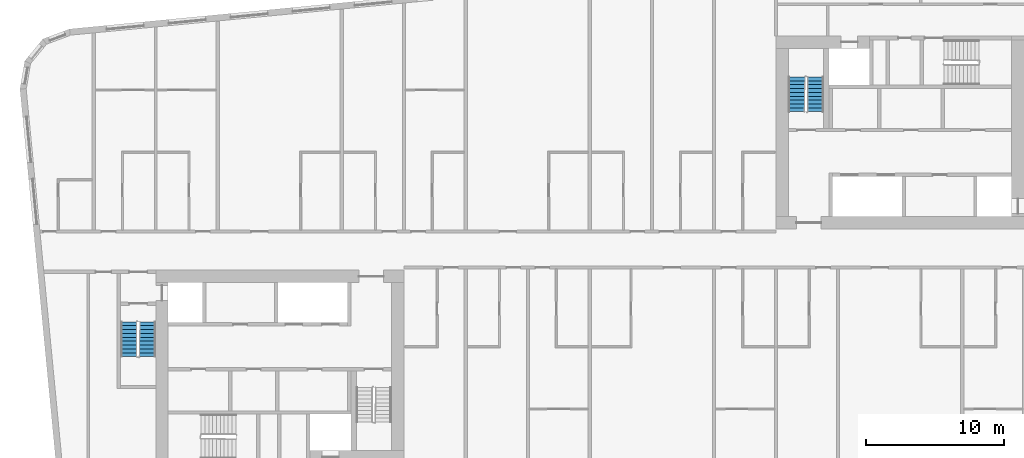
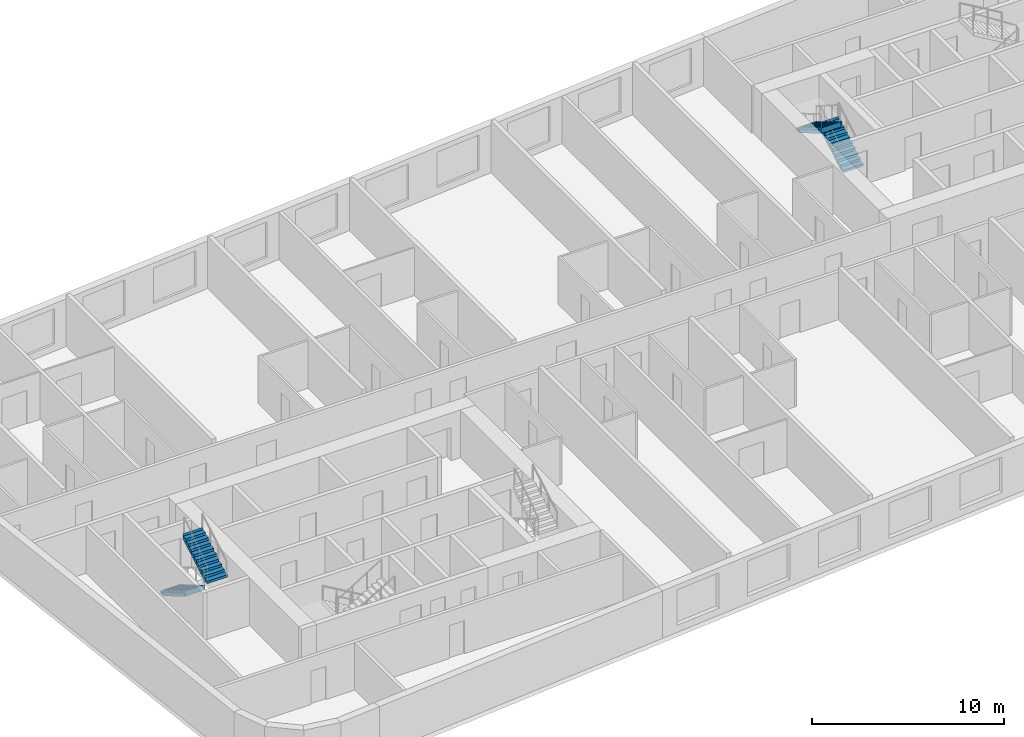
# One storey, part 10 of 12: 4 stair flights, 2 elements without a shape of their own.
"""IFC4 building model written with IfcOpenShell, lengths in metres."""

from ifc_helpers import new_model, si_unit, direction, frame, origin, place, context, subcontext, project, spatial, faceted_brep, material, type_object, element, aggregate, save


model = new_model("IFC4")

# Units and contexts
model_context = context("Model", 3, precision=1e-05, world=origin(), true_north=direction((0.0, 1.0)))
body_context = subcontext(model_context, "Body", "Model", "MODEL_VIEW")
ifc_project = project(units=[si_unit("LENGTHUNIT", "METRE"), si_unit("AREAUNIT", "SQUARE_METRE"), si_unit("VOLUMEUNIT", "CUBIC_METRE"), si_unit("PLANEANGLEUNIT", "RADIAN"), si_unit("MASSUNIT", "GRAM", prefix="KILO")], contexts=[model_context])

# Site, building, storey
site_placement = place(None, origin())
site = spatial("IfcSite", under=ifc_project, at=site_placement, CompositionType="ELEMENT")
building_placement = place(site_placement, origin())
building = spatial("IfcBuilding", under=site, at=building_placement, Name="Kajstack Hotel Tower", CompositionType="ELEMENT")
storey_placement = place(building_placement, frame((0.0, 0.0, 294.89990234375)))
storey = spatial("IfcBuildingStorey", under=building, at=storey_placement, Name="L74", CompositionType="ELEMENT", Elevation=294.89990234375)

# Stair, stair flights
ifc_material = material(Name="Concrete C40/50", Category="concrete")
stair_type = type_object("IfcStairType", Name="Exit stair 1200", PredefinedType="HALF_TURN_STAIR", material=ifc_material)
stair_1_placement = place(storey_placement, origin())
stair_1 = element("IfcStair", 1, at=stair_1_placement, inside=storey, type_object=stair_type, Name="L74 stair W1", PredefinedType="HALF_TURN_STAIR")
stair_flight_type = type_object("IfcStairFlightType", Name="Exit stair flight 1200", PredefinedType="STRAIGHT", material=ifc_material)
stair_flight_1_placement = place(storey_placement, frame((-33.449951171875, -5.25, 0.0), z_axis=(0.0, 0.0, 1.0), x_axis=(0.0, -1.0, 0.0)))
stair_flight_1 = element("IfcStairFlight", 2, at=stair_flight_1_placement, type_object=stair_flight_type, Name="W1 flight 1", NumberOfRisers=10, NumberOfTreads=9, PredefinedType="STRAIGHT", RiserHeight=0.165, TreadLength=0.28, context=body_context, shape_type="Brep", body=[
    faceted_brep([(0.295654296875, -0.60009765625, 0.0), (2.5205078125, -0.60009765625, 1.31103515625), (2.5205078125, -0.60009765625, 1.64990234375), (2.52001953125, -0.60009765625, 1.64990234375), (2.52001953125, -0.60009765625, 1.485107421875), (2.239990234375, -0.60009765625, 1.485107421875), (2.239990234375, -0.60009765625, 1.320068359375), (1.9599609375, -0.60009765625, 1.320068359375), (1.9599609375, -0.60009765625, 1.155029296875), (1.679931640625, -0.60009765625, 1.155029296875), (1.679931640625, -0.60009765625, 0.989990234375), (1.39990234375, -0.60009765625, 0.989990234375), (1.39990234375, -0.60009765625, 0.824951171875), (1.1201171875, -0.60009765625, 0.824951171875), (1.1201171875, -0.60009765625, 0.659912109375), (0.840087890625, -0.60009765625, 0.659912109375), (0.840087890625, -0.60009765625, 0.4951171875), (0.56005859375, -0.60009765625, 0.4951171875), (0.56005859375, -0.60009765625, 0.330078125), (0.280029296875, -0.60009765625, 0.330078125), (0.280029296875, -0.60009765625, 0.1650390625), (-0.00048828125, -0.60009765625, 0.1650390625), (-0.00048828125, -0.60009765625, 0.0), (-0.00048828125, 0.60009765625, 0.0), (-0.00048828125, 0.60009765625, 0.1650390625), (0.280029296875, 0.60009765625, 0.1650390625), (0.280029296875, 0.60009765625, 0.330078125), (0.56005859375, 0.60009765625, 0.330078125), (0.56005859375, 0.60009765625, 0.4951171875), (0.840087890625, 0.60009765625, 0.4951171875), (0.840087890625, 0.60009765625, 0.659912109375), (1.1201171875, 0.60009765625, 0.659912109375), (1.1201171875, 0.60009765625, 0.824951171875), (1.39990234375, 0.60009765625, 0.824951171875), (1.39990234375, 0.60009765625, 0.989990234375), (1.679931640625, 0.60009765625, 0.989990234375), (1.679931640625, 0.60009765625, 1.155029296875), (1.9599609375, 0.60009765625, 1.155029296875), (1.9599609375, 0.60009765625, 1.320068359375), (2.239990234375, 0.60009765625, 1.320068359375), (2.239990234375, 0.60009765625, 1.485107421875), (2.52001953125, 0.60009765625, 1.485107421875), (2.52001953125, 0.60009765625, 1.64990234375), (2.5205078125, 0.60009765625, 1.64990234375), (2.5205078125, 0.60009765625, 1.31103515625), (0.295654296875, 0.60009765625, 0.0), (-0.00048828125, -0.300048828125, 0.1650390625), (-0.00048828125, 0.0, 0.1650390625), (-0.00048828125, 0.300048828125, 0.1650390625), (-0.00048828125, 0.300048828125, 0.0), (-0.00048828125, 0.0, 0.0), (-0.00048828125, -0.300048828125, 0.0), (0.280029296875, -0.300048828125, 0.1650390625), (0.280029296875, 0.0, 0.1650390625), (0.280029296875, 0.300048828125, 0.1650390625), (0.280029296875, -0.300048828125, 0.330078125), (0.280029296875, 0.0, 0.330078125), (0.280029296875, 0.300048828125, 0.330078125), (0.56005859375, -0.300048828125, 0.330078125), (0.56005859375, 0.0, 0.330078125), (0.56005859375, 0.300048828125, 0.330078125), (0.56005859375, -0.300048828125, 0.4951171875), (0.56005859375, 0.0, 0.4951171875), (0.56005859375, 0.300048828125, 0.4951171875), (0.840087890625, -0.300048828125, 0.4951171875), (0.840087890625, 0.0, 0.4951171875), (0.840087890625, 0.300048828125, 0.4951171875), (0.840087890625, -0.300048828125, 0.659912109375), (0.840087890625, 0.0, 0.659912109375), (0.840087890625, 0.300048828125, 0.659912109375), (1.1201171875, -0.300048828125, 0.659912109375), (1.1201171875, 0.0, 0.659912109375), (1.1201171875, 0.300048828125, 0.659912109375), (1.1201171875, -0.300048828125, 0.824951171875), (1.1201171875, 0.0, 0.824951171875), (1.1201171875, 0.300048828125, 0.824951171875), (1.39990234375, -0.300048828125, 0.824951171875), (1.39990234375, 0.0, 0.824951171875), (1.39990234375, 0.300048828125, 0.824951171875), (1.39990234375, -0.300048828125, 0.989990234375), (1.39990234375, 0.0, 0.989990234375), (1.39990234375, 0.300048828125, 0.989990234375), (1.679931640625, -0.300048828125, 0.989990234375), (1.679931640625, 0.0, 0.989990234375), (1.679931640625, 0.300048828125, 0.989990234375), (1.679931640625, -0.300048828125, 1.155029296875), (1.679931640625, 0.0, 1.155029296875), (1.679931640625, 0.300048828125, 1.155029296875), (1.9599609375, -0.300048828125, 1.155029296875), (1.9599609375, 0.0, 1.155029296875), (1.9599609375, 0.300048828125, 1.155029296875), (1.9599609375, -0.300048828125, 1.320068359375), (1.9599609375, 0.0, 1.320068359375), (1.9599609375, 0.300048828125, 1.320068359375), (2.239990234375, -0.300048828125, 1.320068359375), (2.239990234375, 0.0, 1.320068359375), (2.239990234375, 0.300048828125, 1.320068359375), (2.239990234375, -0.300048828125, 1.485107421875), (2.239990234375, 0.0, 1.485107421875), (2.239990234375, 0.300048828125, 1.485107421875), (2.52001953125, -0.300048828125, 1.485107421875), (2.52001953125, 0.0, 1.485107421875), (2.52001953125, 0.300048828125, 1.485107421875), (2.52001953125, -0.300048828125, 1.64990234375), (2.52001953125, 0.0, 1.64990234375), (2.52001953125, 0.300048828125, 1.64990234375), (2.5205078125, -0.300048828125, 1.64990234375), (2.5205078125, 0.0, 1.64990234375), (2.5205078125, 0.300048828125, 1.64990234375), (2.5205078125, -0.300048828125, 1.31103515625), (2.5205078125, 0.0, 1.31103515625), (2.5205078125, 0.300048828125, 1.31103515625), (0.295654296875, -0.300048828125, 0.0), (0.295654296875, 0.0, 0.0), (0.295654296875, 0.300048828125, 0.0)], [[[0, 1, 2, 3, 4, 5, 6, 7, 8, 9, 10, 11, 12, 13, 14, 15, 16, 17, 18, 19, 20, 21, 22]], [[23, 24, 25, 26, 27, 28, 29, 30, 31, 32, 33, 34, 35, 36, 37, 38, 39, 40, 41, 42, 43, 44, 45]], [[21, 46, 47, 48, 24, 23, 49, 50, 51, 22]], [[20, 52, 53, 54, 25, 24, 48, 47, 46, 21]], [[19, 55, 56, 57, 26, 25, 54, 53, 52, 20]], [[18, 58, 59, 60, 27, 26, 57, 56, 55, 19]], [[17, 61, 62, 63, 28, 27, 60, 59, 58, 18]], [[16, 64, 65, 66, 29, 28, 63, 62, 61, 17]], [[15, 67, 68, 69, 30, 29, 66, 65, 64, 16]], [[14, 70, 71, 72, 31, 30, 69, 68, 67, 15]], [[13, 73, 74, 75, 32, 31, 72, 71, 70, 14]], [[12, 76, 77, 78, 33, 32, 75, 74, 73, 13]], [[11, 79, 80, 81, 34, 33, 78, 77, 76, 12]], [[10, 82, 83, 84, 35, 34, 81, 80, 79, 11]], [[9, 85, 86, 87, 36, 35, 84, 83, 82, 10]], [[8, 88, 89, 90, 37, 36, 87, 86, 85, 9]], [[7, 91, 92, 93, 38, 37, 90, 89, 88, 8]], [[6, 94, 95, 96, 39, 38, 93, 92, 91, 7]], [[5, 97, 98, 99, 40, 39, 96, 95, 94, 6]], [[4, 100, 101, 102, 41, 40, 99, 98, 97, 5]], [[3, 103, 104, 105, 42, 41, 102, 101, 100, 4]], [[2, 106, 107, 108, 43, 42, 105, 104, 103, 3]], [[1, 109, 110, 111, 44, 43, 108, 107, 106, 2]], [[0, 112, 113, 114, 45, 44, 111, 110, 109, 1]], [[22, 51, 50, 49, 23, 45, 114, 113, 112, 0]]]),
])
stair_flight_2_placement = place(storey_placement, frame((-32.10009765625, -7.77001953125, 1.650146484375), z_axis=(0.0, 0.0, 1.0), x_axis=(0.0, 1.0, 0.0)))
stair_flight_2 = element("IfcStairFlight", 3, at=stair_flight_2_placement, type_object=stair_flight_type, Name="W1 flight 2", NumberOfRisers=10, NumberOfTreads=9, PredefinedType="STRAIGHT", RiserHeight=0.165, TreadLength=0.28, context=body_context, shape_type="Brep", body=[
    faceted_brep([(0.295654296875, -0.60009765625, 0.0), (2.5205078125, -0.60009765625, 1.31103515625), (2.5205078125, -0.60009765625, 1.64990234375), (2.52001953125, -0.60009765625, 1.64990234375), (2.52001953125, -0.60009765625, 1.485107421875), (2.239990234375, -0.60009765625, 1.485107421875), (2.239990234375, -0.60009765625, 1.320068359375), (1.9599609375, -0.60009765625, 1.320068359375), (1.9599609375, -0.60009765625, 1.155029296875), (1.679931640625, -0.60009765625, 1.155029296875), (1.679931640625, -0.60009765625, 0.989990234375), (1.39990234375, -0.60009765625, 0.989990234375), (1.39990234375, -0.60009765625, 0.824951171875), (1.1201171875, -0.60009765625, 0.824951171875), (1.1201171875, -0.60009765625, 0.659912109375), (0.840087890625, -0.60009765625, 0.659912109375), (0.840087890625, -0.60009765625, 0.4951171875), (0.56005859375, -0.60009765625, 0.4951171875), (0.56005859375, -0.60009765625, 0.330078125), (0.280029296875, -0.60009765625, 0.330078125), (0.280029296875, -0.60009765625, 0.1650390625), (-0.00048828125, -0.60009765625, 0.1650390625), (-0.00048828125, -0.60009765625, 0.0), (-0.00048828125, 0.60009765625, 0.0), (-0.00048828125, 0.60009765625, 0.1650390625), (0.280029296875, 0.60009765625, 0.1650390625), (0.280029296875, 0.60009765625, 0.330078125), (0.56005859375, 0.60009765625, 0.330078125), (0.56005859375, 0.60009765625, 0.4951171875), (0.840087890625, 0.60009765625, 0.4951171875), (0.840087890625, 0.60009765625, 0.659912109375), (1.1201171875, 0.60009765625, 0.659912109375), (1.1201171875, 0.60009765625, 0.824951171875), (1.39990234375, 0.60009765625, 0.824951171875), (1.39990234375, 0.60009765625, 0.989990234375), (1.679931640625, 0.60009765625, 0.989990234375), (1.679931640625, 0.60009765625, 1.155029296875), (1.9599609375, 0.60009765625, 1.155029296875), (1.9599609375, 0.60009765625, 1.320068359375), (2.239990234375, 0.60009765625, 1.320068359375), (2.239990234375, 0.60009765625, 1.485107421875), (2.52001953125, 0.60009765625, 1.485107421875), (2.52001953125, 0.60009765625, 1.64990234375), (2.5205078125, 0.60009765625, 1.64990234375), (2.5205078125, 0.60009765625, 1.31103515625), (0.295654296875, 0.60009765625, 0.0), (-0.00048828125, -0.300048828125, 0.1650390625), (-0.00048828125, 0.0, 0.1650390625), (-0.00048828125, 0.300048828125, 0.1650390625), (-0.00048828125, 0.300048828125, 0.0), (-0.00048828125, 0.0, 0.0), (-0.00048828125, -0.300048828125, 0.0), (0.280029296875, -0.300048828125, 0.1650390625), (0.280029296875, 0.0, 0.1650390625), (0.280029296875, 0.300048828125, 0.1650390625), (0.280029296875, -0.300048828125, 0.330078125), (0.280029296875, 0.0, 0.330078125), (0.280029296875, 0.300048828125, 0.330078125), (0.56005859375, -0.300048828125, 0.330078125), (0.56005859375, 0.0, 0.330078125), (0.56005859375, 0.300048828125, 0.330078125), (0.56005859375, -0.300048828125, 0.4951171875), (0.56005859375, 0.0, 0.4951171875), (0.56005859375, 0.300048828125, 0.4951171875), (0.840087890625, -0.300048828125, 0.4951171875), (0.840087890625, 0.0, 0.4951171875), (0.840087890625, 0.300048828125, 0.4951171875), (0.840087890625, -0.300048828125, 0.659912109375), (0.840087890625, 0.0, 0.659912109375), (0.840087890625, 0.300048828125, 0.659912109375), (1.1201171875, -0.300048828125, 0.659912109375), (1.1201171875, 0.0, 0.659912109375), (1.1201171875, 0.300048828125, 0.659912109375), (1.1201171875, -0.300048828125, 0.824951171875), (1.1201171875, 0.0, 0.824951171875), (1.1201171875, 0.300048828125, 0.824951171875), (1.39990234375, -0.300048828125, 0.824951171875), (1.39990234375, 0.0, 0.824951171875), (1.39990234375, 0.300048828125, 0.824951171875), (1.39990234375, -0.300048828125, 0.989990234375), (1.39990234375, 0.0, 0.989990234375), (1.39990234375, 0.300048828125, 0.989990234375), (1.679931640625, -0.300048828125, 0.989990234375), (1.679931640625, 0.0, 0.989990234375), (1.679931640625, 0.300048828125, 0.989990234375), (1.679931640625, -0.300048828125, 1.155029296875), (1.679931640625, 0.0, 1.155029296875), (1.679931640625, 0.300048828125, 1.155029296875), (1.9599609375, -0.300048828125, 1.155029296875), (1.9599609375, 0.0, 1.155029296875), (1.9599609375, 0.300048828125, 1.155029296875), (1.9599609375, -0.300048828125, 1.320068359375), (1.9599609375, 0.0, 1.320068359375), (1.9599609375, 0.300048828125, 1.320068359375), (2.239990234375, -0.300048828125, 1.320068359375), (2.239990234375, 0.0, 1.320068359375), (2.239990234375, 0.300048828125, 1.320068359375), (2.239990234375, -0.300048828125, 1.485107421875), (2.239990234375, 0.0, 1.485107421875), (2.239990234375, 0.300048828125, 1.485107421875), (2.52001953125, -0.300048828125, 1.485107421875), (2.52001953125, 0.0, 1.485107421875), (2.52001953125, 0.300048828125, 1.485107421875), (2.52001953125, -0.300048828125, 1.64990234375), (2.52001953125, 0.0, 1.64990234375), (2.52001953125, 0.300048828125, 1.64990234375), (2.5205078125, -0.300048828125, 1.64990234375), (2.5205078125, 0.0, 1.64990234375), (2.5205078125, 0.300048828125, 1.64990234375), (2.5205078125, -0.300048828125, 1.31103515625), (2.5205078125, 0.0, 1.31103515625), (2.5205078125, 0.300048828125, 1.31103515625), (0.295654296875, -0.300048828125, 0.0), (0.295654296875, 0.0, 0.0), (0.295654296875, 0.300048828125, 0.0)], [[[0, 1, 2, 3, 4, 5, 6, 7, 8, 9, 10, 11, 12, 13, 14, 15, 16, 17, 18, 19, 20, 21, 22]], [[23, 24, 25, 26, 27, 28, 29, 30, 31, 32, 33, 34, 35, 36, 37, 38, 39, 40, 41, 42, 43, 44, 45]], [[21, 46, 47, 48, 24, 23, 49, 50, 51, 22]], [[20, 52, 53, 54, 25, 24, 48, 47, 46, 21]], [[19, 55, 56, 57, 26, 25, 54, 53, 52, 20]], [[18, 58, 59, 60, 27, 26, 57, 56, 55, 19]], [[17, 61, 62, 63, 28, 27, 60, 59, 58, 18]], [[16, 64, 65, 66, 29, 28, 63, 62, 61, 17]], [[15, 67, 68, 69, 30, 29, 66, 65, 64, 16]], [[14, 70, 71, 72, 31, 30, 69, 68, 67, 15]], [[13, 73, 74, 75, 32, 31, 72, 71, 70, 14]], [[12, 76, 77, 78, 33, 32, 75, 74, 73, 13]], [[11, 79, 80, 81, 34, 33, 78, 77, 76, 12]], [[10, 82, 83, 84, 35, 34, 81, 80, 79, 11]], [[9, 85, 86, 87, 36, 35, 84, 83, 82, 10]], [[8, 88, 89, 90, 37, 36, 87, 86, 85, 9]], [[7, 91, 92, 93, 38, 37, 90, 89, 88, 8]], [[6, 94, 95, 96, 39, 38, 93, 92, 91, 7]], [[5, 97, 98, 99, 40, 39, 96, 95, 94, 6]], [[4, 100, 101, 102, 41, 40, 99, 98, 97, 5]], [[3, 103, 104, 105, 42, 41, 102, 101, 100, 4]], [[2, 106, 107, 108, 43, 42, 105, 104, 103, 3]], [[1, 109, 110, 111, 44, 43, 108, 107, 106, 2]], [[0, 112, 113, 114, 45, 44, 111, 110, 109, 1]], [[22, 51, 50, 49, 23, 45, 114, 113, 112, 0]]]),
])
aggregate(stair_1, [stair_flight_1, stair_flight_2])

stair_2_placement = place(storey_placement, origin())
stair_2 = element("IfcStair", 4, at=stair_2_placement, inside=storey, type_object=stair_type, Name="L74 stair E2", PredefinedType="HALF_TURN_STAIR")
stair_flight_3_placement = place(storey_placement, frame((16.35009765625, 10.0, 0.0), z_axis=(0.0, 0.0, 1.0), x_axis=(0.0, 1.0, 0.0)))
stair_flight_3 = element("IfcStairFlight", 5, at=stair_flight_3_placement, type_object=stair_flight_type, Name="E2 flight 1", NumberOfRisers=10, NumberOfTreads=9, PredefinedType="STRAIGHT", RiserHeight=0.165, TreadLength=0.28, context=body_context, shape_type="Brep", body=[
    faceted_brep([(0.295654296875, -0.60009765625, 0.0), (2.5205078125, -0.60009765625, 1.31103515625), (2.5205078125, -0.60009765625, 1.64990234375), (2.52001953125, -0.60009765625, 1.64990234375), (2.52001953125, -0.60009765625, 1.485107421875), (2.239990234375, -0.60009765625, 1.485107421875), (2.239990234375, -0.60009765625, 1.320068359375), (1.9599609375, -0.60009765625, 1.320068359375), (1.9599609375, -0.60009765625, 1.155029296875), (1.679931640625, -0.60009765625, 1.155029296875), (1.679931640625, -0.60009765625, 0.989990234375), (1.39990234375, -0.60009765625, 0.989990234375), (1.39990234375, -0.60009765625, 0.824951171875), (1.1201171875, -0.60009765625, 0.824951171875), (1.1201171875, -0.60009765625, 0.659912109375), (0.840087890625, -0.60009765625, 0.659912109375), (0.840087890625, -0.60009765625, 0.4951171875), (0.56005859375, -0.60009765625, 0.4951171875), (0.56005859375, -0.60009765625, 0.330078125), (0.280029296875, -0.60009765625, 0.330078125), (0.280029296875, -0.60009765625, 0.1650390625), (-0.00048828125, -0.60009765625, 0.1650390625), (-0.00048828125, -0.60009765625, 0.0), (-0.00048828125, 0.60009765625, 0.0), (-0.00048828125, 0.60009765625, 0.1650390625), (0.280029296875, 0.60009765625, 0.1650390625), (0.280029296875, 0.60009765625, 0.330078125), (0.56005859375, 0.60009765625, 0.330078125), (0.56005859375, 0.60009765625, 0.4951171875), (0.840087890625, 0.60009765625, 0.4951171875), (0.840087890625, 0.60009765625, 0.659912109375), (1.1201171875, 0.60009765625, 0.659912109375), (1.1201171875, 0.60009765625, 0.824951171875), (1.39990234375, 0.60009765625, 0.824951171875), (1.39990234375, 0.60009765625, 0.989990234375), (1.679931640625, 0.60009765625, 0.989990234375), (1.679931640625, 0.60009765625, 1.155029296875), (1.9599609375, 0.60009765625, 1.155029296875), (1.9599609375, 0.60009765625, 1.320068359375), (2.239990234375, 0.60009765625, 1.320068359375), (2.239990234375, 0.60009765625, 1.485107421875), (2.52001953125, 0.60009765625, 1.485107421875), (2.52001953125, 0.60009765625, 1.64990234375), (2.5205078125, 0.60009765625, 1.64990234375), (2.5205078125, 0.60009765625, 1.31103515625), (0.295654296875, 0.60009765625, 0.0), (-0.00048828125, -0.300048828125, 0.1650390625), (-0.00048828125, 0.0, 0.1650390625), (-0.00048828125, 0.300048828125, 0.1650390625), (-0.00048828125, 0.300048828125, 0.0), (-0.00048828125, 0.0, 0.0), (-0.00048828125, -0.300048828125, 0.0), (0.280029296875, -0.300048828125, 0.1650390625), (0.280029296875, 0.0, 0.1650390625), (0.280029296875, 0.300048828125, 0.1650390625), (0.280029296875, -0.300048828125, 0.330078125), (0.280029296875, 0.0, 0.330078125), (0.280029296875, 0.300048828125, 0.330078125), (0.56005859375, -0.300048828125, 0.330078125), (0.56005859375, 0.0, 0.330078125), (0.56005859375, 0.300048828125, 0.330078125), (0.56005859375, -0.300048828125, 0.4951171875), (0.56005859375, 0.0, 0.4951171875), (0.56005859375, 0.300048828125, 0.4951171875), (0.840087890625, -0.300048828125, 0.4951171875), (0.840087890625, 0.0, 0.4951171875), (0.840087890625, 0.300048828125, 0.4951171875), (0.840087890625, -0.300048828125, 0.659912109375), (0.840087890625, 0.0, 0.659912109375), (0.840087890625, 0.300048828125, 0.659912109375), (1.1201171875, -0.300048828125, 0.659912109375), (1.1201171875, 0.0, 0.659912109375), (1.1201171875, 0.300048828125, 0.659912109375), (1.1201171875, -0.300048828125, 0.824951171875), (1.1201171875, 0.0, 0.824951171875), (1.1201171875, 0.300048828125, 0.824951171875), (1.39990234375, -0.300048828125, 0.824951171875), (1.39990234375, 0.0, 0.824951171875), (1.39990234375, 0.300048828125, 0.824951171875), (1.39990234375, -0.300048828125, 0.989990234375), (1.39990234375, 0.0, 0.989990234375), (1.39990234375, 0.300048828125, 0.989990234375), (1.679931640625, -0.300048828125, 0.989990234375), (1.679931640625, 0.0, 0.989990234375), (1.679931640625, 0.300048828125, 0.989990234375), (1.679931640625, -0.300048828125, 1.155029296875), (1.679931640625, 0.0, 1.155029296875), (1.679931640625, 0.300048828125, 1.155029296875), (1.9599609375, -0.300048828125, 1.155029296875), (1.9599609375, 0.0, 1.155029296875), (1.9599609375, 0.300048828125, 1.155029296875), (1.9599609375, -0.300048828125, 1.320068359375), (1.9599609375, 0.0, 1.320068359375), (1.9599609375, 0.300048828125, 1.320068359375), (2.239990234375, -0.300048828125, 1.320068359375), (2.239990234375, 0.0, 1.320068359375), (2.239990234375, 0.300048828125, 1.320068359375), (2.239990234375, -0.300048828125, 1.485107421875), (2.239990234375, 0.0, 1.485107421875), (2.239990234375, 0.300048828125, 1.485107421875), (2.52001953125, -0.300048828125, 1.485107421875), (2.52001953125, 0.0, 1.485107421875), (2.52001953125, 0.300048828125, 1.485107421875), (2.52001953125, -0.300048828125, 1.64990234375), (2.52001953125, 0.0, 1.64990234375), (2.52001953125, 0.300048828125, 1.64990234375), (2.5205078125, -0.300048828125, 1.64990234375), (2.5205078125, 0.0, 1.64990234375), (2.5205078125, 0.300048828125, 1.64990234375), (2.5205078125, -0.300048828125, 1.31103515625), (2.5205078125, 0.0, 1.31103515625), (2.5205078125, 0.300048828125, 1.31103515625), (0.295654296875, -0.300048828125, 0.0), (0.295654296875, 0.0, 0.0), (0.295654296875, 0.300048828125, 0.0)], [[[0, 1, 2, 3, 4, 5, 6, 7, 8, 9, 10, 11, 12, 13, 14, 15, 16, 17, 18, 19, 20, 21, 22]], [[23, 24, 25, 26, 27, 28, 29, 30, 31, 32, 33, 34, 35, 36, 37, 38, 39, 40, 41, 42, 43, 44, 45]], [[21, 46, 47, 48, 24, 23, 49, 50, 51, 22]], [[20, 52, 53, 54, 25, 24, 48, 47, 46, 21]], [[19, 55, 56, 57, 26, 25, 54, 53, 52, 20]], [[18, 58, 59, 60, 27, 26, 57, 56, 55, 19]], [[17, 61, 62, 63, 28, 27, 60, 59, 58, 18]], [[16, 64, 65, 66, 29, 28, 63, 62, 61, 17]], [[15, 67, 68, 69, 30, 29, 66, 65, 64, 16]], [[14, 70, 71, 72, 31, 30, 69, 68, 67, 15]], [[13, 73, 74, 75, 32, 31, 72, 71, 70, 14]], [[12, 76, 77, 78, 33, 32, 75, 74, 73, 13]], [[11, 79, 80, 81, 34, 33, 78, 77, 76, 12]], [[10, 82, 83, 84, 35, 34, 81, 80, 79, 11]], [[9, 85, 86, 87, 36, 35, 84, 83, 82, 10]], [[8, 88, 89, 90, 37, 36, 87, 86, 85, 9]], [[7, 91, 92, 93, 38, 37, 90, 89, 88, 8]], [[6, 94, 95, 96, 39, 38, 93, 92, 91, 7]], [[5, 97, 98, 99, 40, 39, 96, 95, 94, 6]], [[4, 100, 101, 102, 41, 40, 99, 98, 97, 5]], [[3, 103, 104, 105, 42, 41, 102, 101, 100, 4]], [[2, 106, 107, 108, 43, 42, 105, 104, 103, 3]], [[1, 109, 110, 111, 44, 43, 108, 107, 106, 2]], [[0, 112, 113, 114, 45, 44, 111, 110, 109, 1]], [[22, 51, 50, 49, 23, 45, 114, 113, 112, 0]]]),
])
stair_flight_4_placement = place(storey_placement, frame((15.0, 12.52001953125, 1.650146484375), z_axis=(0.0, 0.0, 1.0), x_axis=(0.0, -1.0, 0.0)))
stair_flight_4 = element("IfcStairFlight", 6, at=stair_flight_4_placement, type_object=stair_flight_type, Name="E2 flight 2", NumberOfRisers=10, NumberOfTreads=9, PredefinedType="STRAIGHT", RiserHeight=0.165, TreadLength=0.28, context=body_context, shape_type="Brep", body=[
    faceted_brep([(0.295654296875, -0.60009765625, 0.0), (2.5205078125, -0.60009765625, 1.31103515625), (2.5205078125, -0.60009765625, 1.64990234375), (2.52001953125, -0.60009765625, 1.64990234375), (2.52001953125, -0.60009765625, 1.485107421875), (2.239990234375, -0.60009765625, 1.485107421875), (2.239990234375, -0.60009765625, 1.320068359375), (1.9599609375, -0.60009765625, 1.320068359375), (1.9599609375, -0.60009765625, 1.155029296875), (1.679931640625, -0.60009765625, 1.155029296875), (1.679931640625, -0.60009765625, 0.989990234375), (1.39990234375, -0.60009765625, 0.989990234375), (1.39990234375, -0.60009765625, 0.824951171875), (1.1201171875, -0.60009765625, 0.824951171875), (1.1201171875, -0.60009765625, 0.659912109375), (0.840087890625, -0.60009765625, 0.659912109375), (0.840087890625, -0.60009765625, 0.4951171875), (0.56005859375, -0.60009765625, 0.4951171875), (0.56005859375, -0.60009765625, 0.330078125), (0.280029296875, -0.60009765625, 0.330078125), (0.280029296875, -0.60009765625, 0.1650390625), (-0.00048828125, -0.60009765625, 0.1650390625), (-0.00048828125, -0.60009765625, 0.0), (-0.00048828125, 0.60009765625, 0.0), (-0.00048828125, 0.60009765625, 0.1650390625), (0.280029296875, 0.60009765625, 0.1650390625), (0.280029296875, 0.60009765625, 0.330078125), (0.56005859375, 0.60009765625, 0.330078125), (0.56005859375, 0.60009765625, 0.4951171875), (0.840087890625, 0.60009765625, 0.4951171875), (0.840087890625, 0.60009765625, 0.659912109375), (1.1201171875, 0.60009765625, 0.659912109375), (1.1201171875, 0.60009765625, 0.824951171875), (1.39990234375, 0.60009765625, 0.824951171875), (1.39990234375, 0.60009765625, 0.989990234375), (1.679931640625, 0.60009765625, 0.989990234375), (1.679931640625, 0.60009765625, 1.155029296875), (1.9599609375, 0.60009765625, 1.155029296875), (1.9599609375, 0.60009765625, 1.320068359375), (2.239990234375, 0.60009765625, 1.320068359375), (2.239990234375, 0.60009765625, 1.485107421875), (2.52001953125, 0.60009765625, 1.485107421875), (2.52001953125, 0.60009765625, 1.64990234375), (2.5205078125, 0.60009765625, 1.64990234375), (2.5205078125, 0.60009765625, 1.31103515625), (0.295654296875, 0.60009765625, 0.0), (-0.00048828125, -0.300048828125, 0.1650390625), (-0.00048828125, 0.0, 0.1650390625), (-0.00048828125, 0.300048828125, 0.1650390625), (-0.00048828125, 0.300048828125, 0.0), (-0.00048828125, 0.0, 0.0), (-0.00048828125, -0.300048828125, 0.0), (0.280029296875, -0.300048828125, 0.1650390625), (0.280029296875, 0.0, 0.1650390625), (0.280029296875, 0.300048828125, 0.1650390625), (0.280029296875, -0.300048828125, 0.330078125), (0.280029296875, 0.0, 0.330078125), (0.280029296875, 0.300048828125, 0.330078125), (0.56005859375, -0.300048828125, 0.330078125), (0.56005859375, 0.0, 0.330078125), (0.56005859375, 0.300048828125, 0.330078125), (0.56005859375, -0.300048828125, 0.4951171875), (0.56005859375, 0.0, 0.4951171875), (0.56005859375, 0.300048828125, 0.4951171875), (0.840087890625, -0.300048828125, 0.4951171875), (0.840087890625, 0.0, 0.4951171875), (0.840087890625, 0.300048828125, 0.4951171875), (0.840087890625, -0.300048828125, 0.659912109375), (0.840087890625, 0.0, 0.659912109375), (0.840087890625, 0.300048828125, 0.659912109375), (1.1201171875, -0.300048828125, 0.659912109375), (1.1201171875, 0.0, 0.659912109375), (1.1201171875, 0.300048828125, 0.659912109375), (1.1201171875, -0.300048828125, 0.824951171875), (1.1201171875, 0.0, 0.824951171875), (1.1201171875, 0.300048828125, 0.824951171875), (1.39990234375, -0.300048828125, 0.824951171875), (1.39990234375, 0.0, 0.824951171875), (1.39990234375, 0.300048828125, 0.824951171875), (1.39990234375, -0.300048828125, 0.989990234375), (1.39990234375, 0.0, 0.989990234375), (1.39990234375, 0.300048828125, 0.989990234375), (1.679931640625, -0.300048828125, 0.989990234375), (1.679931640625, 0.0, 0.989990234375), (1.679931640625, 0.300048828125, 0.989990234375), (1.679931640625, -0.300048828125, 1.155029296875), (1.679931640625, 0.0, 1.155029296875), (1.679931640625, 0.300048828125, 1.155029296875), (1.9599609375, -0.300048828125, 1.155029296875), (1.9599609375, 0.0, 1.155029296875), (1.9599609375, 0.300048828125, 1.155029296875), (1.9599609375, -0.300048828125, 1.320068359375), (1.9599609375, 0.0, 1.320068359375), (1.9599609375, 0.300048828125, 1.320068359375), (2.239990234375, -0.300048828125, 1.320068359375), (2.239990234375, 0.0, 1.320068359375), (2.239990234375, 0.300048828125, 1.320068359375), (2.239990234375, -0.300048828125, 1.485107421875), (2.239990234375, 0.0, 1.485107421875), (2.239990234375, 0.300048828125, 1.485107421875), (2.52001953125, -0.300048828125, 1.485107421875), (2.52001953125, 0.0, 1.485107421875), (2.52001953125, 0.300048828125, 1.485107421875), (2.52001953125, -0.300048828125, 1.64990234375), (2.52001953125, 0.0, 1.64990234375), (2.52001953125, 0.300048828125, 1.64990234375), (2.5205078125, -0.300048828125, 1.64990234375), (2.5205078125, 0.0, 1.64990234375), (2.5205078125, 0.300048828125, 1.64990234375), (2.5205078125, -0.300048828125, 1.31103515625), (2.5205078125, 0.0, 1.31103515625), (2.5205078125, 0.300048828125, 1.31103515625), (0.295654296875, -0.300048828125, 0.0), (0.295654296875, 0.0, 0.0), (0.295654296875, 0.300048828125, 0.0)], [[[0, 1, 2, 3, 4, 5, 6, 7, 8, 9, 10, 11, 12, 13, 14, 15, 16, 17, 18, 19, 20, 21, 22]], [[23, 24, 25, 26, 27, 28, 29, 30, 31, 32, 33, 34, 35, 36, 37, 38, 39, 40, 41, 42, 43, 44, 45]], [[21, 46, 47, 48, 24, 23, 49, 50, 51, 22]], [[20, 52, 53, 54, 25, 24, 48, 47, 46, 21]], [[19, 55, 56, 57, 26, 25, 54, 53, 52, 20]], [[18, 58, 59, 60, 27, 26, 57, 56, 55, 19]], [[17, 61, 62, 63, 28, 27, 60, 59, 58, 18]], [[16, 64, 65, 66, 29, 28, 63, 62, 61, 17]], [[15, 67, 68, 69, 30, 29, 66, 65, 64, 16]], [[14, 70, 71, 72, 31, 30, 69, 68, 67, 15]], [[13, 73, 74, 75, 32, 31, 72, 71, 70, 14]], [[12, 76, 77, 78, 33, 32, 75, 74, 73, 13]], [[11, 79, 80, 81, 34, 33, 78, 77, 76, 12]], [[10, 82, 83, 84, 35, 34, 81, 80, 79, 11]], [[9, 85, 86, 87, 36, 35, 84, 83, 82, 10]], [[8, 88, 89, 90, 37, 36, 87, 86, 85, 9]], [[7, 91, 92, 93, 38, 37, 90, 89, 88, 8]], [[6, 94, 95, 96, 39, 38, 93, 92, 91, 7]], [[5, 97, 98, 99, 40, 39, 96, 95, 94, 6]], [[4, 100, 101, 102, 41, 40, 99, 98, 97, 5]], [[3, 103, 104, 105, 42, 41, 102, 101, 100, 4]], [[2, 106, 107, 108, 43, 42, 105, 104, 103, 3]], [[1, 109, 110, 111, 44, 43, 108, 107, 106, 2]], [[0, 112, 113, 114, 45, 44, 111, 110, 109, 1]], [[22, 51, 50, 49, 23, 45, 114, 113, 112, 0]]]),
])
aggregate(stair_2, [stair_flight_3, stair_flight_4])

save(model, "model.ifc")
